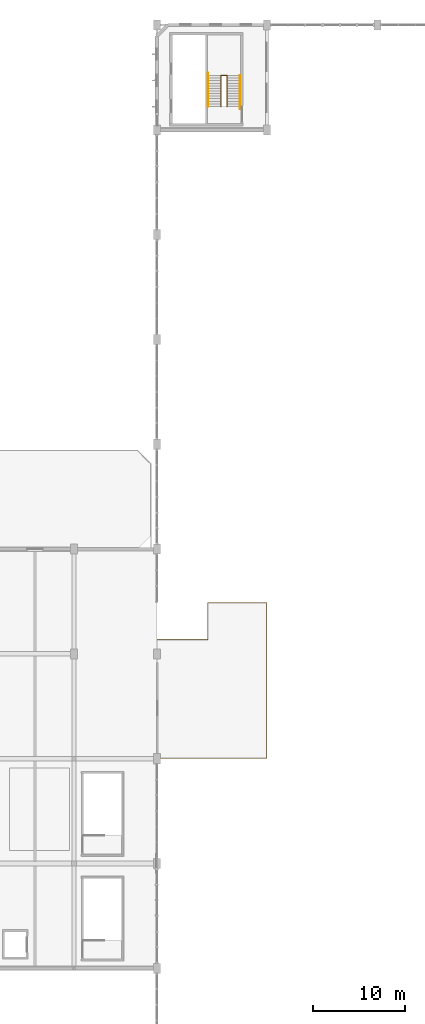
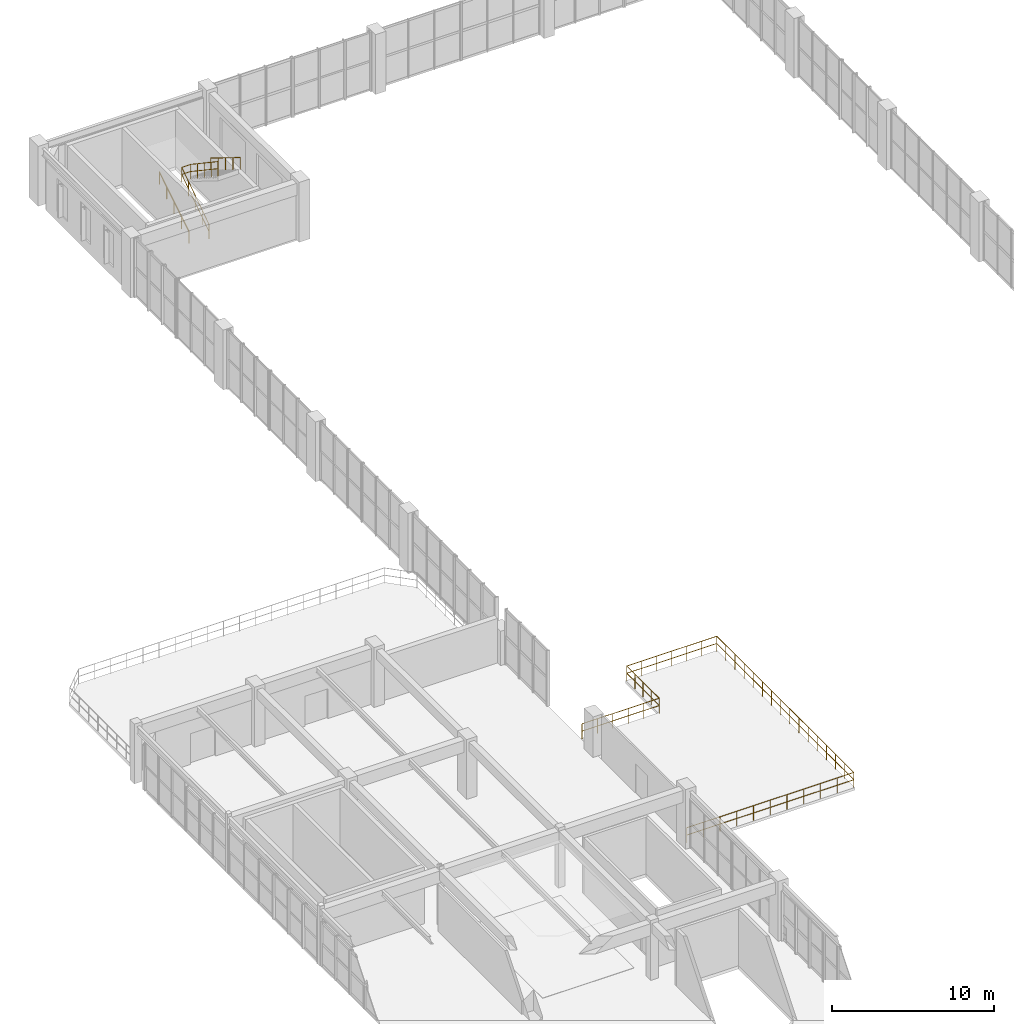
# One storey, part 80 of 80: 4 railings.
"""IFC4 building model written with IfcOpenShell, lengths in metres."""

from ifc_helpers import new_model, si_unit, direction, frame, origin, origin_2d, place, context, subcontext, project, spatial, circle, extrude, material, layer, layer_set, type_object, element, save


model = new_model("IFC4")

# Units and contexts
model_context = context("Model", 3, precision=1e-05, world=origin(), true_north=direction((0.0, 1.0)))
body_context = subcontext(model_context, "Body", "Model", "MODEL_VIEW")
ifc_project = project(units=[si_unit("LENGTHUNIT", "METRE"), si_unit("AREAUNIT", "SQUARE_METRE"), si_unit("VOLUMEUNIT", "CUBIC_METRE"), si_unit("PLANEANGLEUNIT", "RADIAN"), si_unit("MASSUNIT", "GRAM", prefix="KILO"), si_unit("POWERUNIT", "WATT"), si_unit("THERMODYNAMICTEMPERATUREUNIT", "KELVIN")], contexts=[model_context])

# Site, building, storey
site_placement = place(None, origin())
site = spatial("IfcSite", under=ifc_project, at=site_placement, CompositionType="ELEMENT")
building_placement = place(site_placement, origin())
building = spatial("IfcBuilding", under=site, at=building_placement, Name="Kelmbourne Parkland Aquatics Centre", CompositionType="ELEMENT")
storey_placement = place(building_placement, frame((0.0, 0.0, 10.199951171875)))
storey = spatial("IfcBuildingStorey", under=building, at=storey_placement, Name="L02", CompositionType="ELEMENT", Elevation=10.199951171875)

# Railings
ifc_material_1 = material(Name="Grade 316 stainless steel and laminated glass balustrade", Category="glass")
ifc_layer = layer(ifc_material_1, 0.06005859375)
ifc_layer_set = layer_set([ifc_layer], Name="Grade 316 stainless steel and laminated glass balustrade")
railing_type_1 = type_object("IfcRailingType", Name="RL-BL-114", PredefinedType="BALUSTRADE", material=ifc_layer_set)
railing_1_placement = place(storey_placement, frame((128.050048828125, 47.949951171875, 0.0)))
element("IfcRailing", 1, at=railing_1_placement, inside=storey, type_object=railing_type_1, Name="Safety balustrade BAL-L02-BRG", PredefinedType="BALUSTRADE", context=body_context, shape_type="SweptSolid", body=[
    extrude(circle(Radius=0.02392578125, at=origin_2d()), frame((0.0, 0.0, 1.11572265625), z_axis=(1.0, 0.0, 0.0), x_axis=(0.0, 1.0, 0.0)), (0.0, 0.0, 1.0), 5.5),
    extrude(circle(Radius=0.02392578125, at=origin_2d()), frame((0.0, 0.0, 0.56982421875), z_axis=(1.0, 0.0, 0.0), x_axis=(0.0, 1.0, 0.0)), (0.0, 0.0, 1.0), 5.5),
    extrude(circle(Radius=0.02392578125, at=origin_2d()), frame((5.5, 0.0, 1.11572265625), z_axis=(0.0, 1.0, 0.0), x_axis=(-1.0, 0.0, 0.0)), (0.0, 0.0, 1.0), 4.0),
    extrude(circle(Radius=0.02392578125, at=origin_2d()), frame((5.5, 0.0, 0.56982421875), z_axis=(0.0, 1.0, 0.0), x_axis=(-1.0, 0.0, 0.0)), (0.0, 0.0, 1.0), 4.0),
    extrude(circle(Radius=0.02392578125, at=origin_2d()), frame((5.5, 4.0, 1.11572265625), z_axis=(1.0, 0.0, 0.0), x_axis=(0.0, 1.0, 0.0)), (0.0, 0.0, 1.0), 6.39990234375),
    extrude(circle(Radius=0.02392578125, at=origin_2d()), frame((5.5, 4.0, 0.56982421875), z_axis=(1.0, 0.0, 0.0), x_axis=(0.0, 1.0, 0.0)), (0.0, 0.0, 1.0), 6.39990234375),
    extrude(circle(Radius=0.02392578125, at=origin_2d()), frame((11.89990234375, 4.0, 1.11572265625), z_axis=(0.0, -1.0, 0.0), x_axis=(1.0, 0.0, 0.0)), (0.0, 0.0, 1.0), 16.89990234375),
    extrude(circle(Radius=0.02392578125, at=origin_2d()), frame((11.89990234375, 4.0, 0.56982421875), z_axis=(0.0, -1.0, 0.0), x_axis=(1.0, 0.0, 0.0)), (0.0, 0.0, 1.0), 16.89990234375),
    extrude(circle(Radius=0.02392578125, at=origin_2d()), frame((11.89990234375, -12.89990234375, 1.11572265625), z_axis=(-1.0, 0.0, 0.0), x_axis=(0.0, -1.0, 0.0)), (0.0, 0.0, 1.0), 11.89990234375),
    extrude(circle(Radius=0.02392578125, at=origin_2d()), frame((11.89990234375, -12.89990234375, 0.56982421875), z_axis=(-1.0, 0.0, 0.0), x_axis=(0.0, -1.0, 0.0)), (0.0, 0.0, 1.0), 11.89990234375),
    extrude(circle(Radius=0.02099609375, at=origin_2d()), origin(), (0.0, 0.0, 1.0), 1.091796875),
    extrude(circle(Radius=0.02099609375, at=origin_2d()), frame((1.10009765625, 0.0, 0.0)), (0.0, 0.0, 1.0), 1.091796875),
    extrude(circle(Radius=0.02099609375, at=origin_2d()), frame((2.199951171875, 0.0, 0.0)), (0.0, 0.0, 1.0), 1.091796875),
    extrude(circle(Radius=0.02099609375, at=origin_2d()), frame((3.300048828125, 0.0, 0.0)), (0.0, 0.0, 1.0), 1.091796875),
    extrude(circle(Radius=0.02099609375, at=origin_2d()), frame((4.39990234375, 0.0, 0.0)), (0.0, 0.0, 1.0), 1.091796875),
    extrude(circle(Radius=0.02099609375, at=origin_2d()), frame((5.5, 0.0, 0.0)), (0.0, 0.0, 1.0), 1.091796875),
    extrude(circle(Radius=0.02099609375, at=origin_2d()), frame((5.5, 1.0, 0.0)), (0.0, 0.0, 1.0), 1.091796875),
    extrude(circle(Radius=0.02099609375, at=origin_2d()), frame((5.5, 2.0, 0.0)), (0.0, 0.0, 1.0), 1.091796875),
    extrude(circle(Radius=0.02099609375, at=origin_2d()), frame((5.5, 3.0, 0.0)), (0.0, 0.0, 1.0), 1.091796875),
    extrude(circle(Radius=0.02099609375, at=origin_2d()), frame((5.5, 4.0, 0.0)), (0.0, 0.0, 1.0), 1.091796875),
    extrude(circle(Radius=0.02099609375, at=origin_2d()), frame((6.566650390625, 4.0, 0.0)), (0.0, 0.0, 1.0), 1.091796875),
    extrude(circle(Radius=0.02099609375, at=origin_2d()), frame((7.63330078125, 4.0, 0.0)), (0.0, 0.0, 1.0), 1.091796875),
    extrude(circle(Radius=0.02099609375, at=origin_2d()), frame((8.699951171875, 4.0, 0.0)), (0.0, 0.0, 1.0), 1.091796875),
    extrude(circle(Radius=0.02099609375, at=origin_2d()), frame((9.7666015625, 4.0, 0.0)), (0.0, 0.0, 1.0), 1.091796875),
    extrude(circle(Radius=0.02099609375, at=origin_2d()), frame((10.833251953125, 4.0, 0.0)), (0.0, 0.0, 1.0), 1.091796875),
    extrude(circle(Radius=0.02099609375, at=origin_2d()), frame((11.89990234375, 4.0, 0.0)), (0.0, 0.0, 1.0), 1.091796875),
    extrude(circle(Radius=0.02099609375, at=origin_2d()), frame((11.89990234375, 2.873291015625, 0.0)), (0.0, 0.0, 1.0), 1.091796875),
    extrude(circle(Radius=0.02099609375, at=origin_2d()), frame((11.89990234375, 1.74658203125, 0.0)), (0.0, 0.0, 1.0), 1.091796875),
    extrude(circle(Radius=0.02099609375, at=origin_2d()), frame((11.89990234375, 0.6201171875, 0.0)), (0.0, 0.0, 1.0), 1.091796875),
    extrude(circle(Radius=0.02099609375, at=origin_2d()), frame((11.89990234375, -0.506591796875, 0.0)), (0.0, 0.0, 1.0), 1.091796875),
    extrude(circle(Radius=0.02099609375, at=origin_2d()), frame((11.89990234375, -1.63330078125, 0.0)), (0.0, 0.0, 1.0), 1.091796875),
    extrude(circle(Radius=0.02099609375, at=origin_2d()), frame((11.89990234375, -2.760009765625, 0.0)), (0.0, 0.0, 1.0), 1.091796875),
    extrude(circle(Radius=0.02099609375, at=origin_2d()), frame((11.89990234375, -3.88671875, 0.0)), (0.0, 0.0, 1.0), 1.091796875),
    extrude(circle(Radius=0.02099609375, at=origin_2d()), frame((11.89990234375, -5.01318359375, 0.0)), (0.0, 0.0, 1.0), 1.091796875),
    extrude(circle(Radius=0.02099609375, at=origin_2d()), frame((11.89990234375, -6.139892578125, 0.0)), (0.0, 0.0, 1.0), 1.091796875),
    extrude(circle(Radius=0.02099609375, at=origin_2d()), frame((11.89990234375, -7.2666015625, 0.0)), (0.0, 0.0, 1.0), 1.091796875),
    extrude(circle(Radius=0.02099609375, at=origin_2d()), frame((11.89990234375, -8.393310546875, 0.0)), (0.0, 0.0, 1.0), 1.091796875),
    extrude(circle(Radius=0.02099609375, at=origin_2d()), frame((11.89990234375, -9.52001953125, 0.0)), (0.0, 0.0, 1.0), 1.091796875),
    extrude(circle(Radius=0.02099609375, at=origin_2d()), frame((11.89990234375, -10.646484375, 0.0)), (0.0, 0.0, 1.0), 1.091796875),
    extrude(circle(Radius=0.02099609375, at=origin_2d()), frame((11.89990234375, -11.773193359375, 0.0)), (0.0, 0.0, 1.0), 1.091796875),
    extrude(circle(Radius=0.02099609375, at=origin_2d()), frame((11.89990234375, -12.89990234375, 0.0)), (0.0, 0.0, 1.0), 1.091796875),
    extrude(circle(Radius=0.02099609375, at=origin_2d()), frame((10.7099609375, -12.89990234375, 0.0)), (0.0, 0.0, 1.0), 1.091796875),
    extrude(circle(Radius=0.02099609375, at=origin_2d()), frame((9.52001953125, -12.89990234375, 0.0)), (0.0, 0.0, 1.0), 1.091796875),
    extrude(circle(Radius=0.02099609375, at=origin_2d()), frame((8.329833984375, -12.89990234375, 0.0)), (0.0, 0.0, 1.0), 1.091796875),
    extrude(circle(Radius=0.02099609375, at=origin_2d()), frame((7.139892578125, -12.89990234375, 0.0)), (0.0, 0.0, 1.0), 1.091796875),
    extrude(circle(Radius=0.02099609375, at=origin_2d()), frame((5.949951171875, -12.89990234375, 0.0)), (0.0, 0.0, 1.0), 1.091796875),
    extrude(circle(Radius=0.02099609375, at=origin_2d()), frame((4.760009765625, -12.89990234375, 0.0)), (0.0, 0.0, 1.0), 1.091796875),
    extrude(circle(Radius=0.02099609375, at=origin_2d()), frame((3.570068359375, -12.89990234375, 0.0)), (0.0, 0.0, 1.0), 1.091796875),
    extrude(circle(Radius=0.02099609375, at=origin_2d()), frame((2.3798828125, -12.89990234375, 0.0)), (0.0, 0.0, 1.0), 1.091796875),
    extrude(circle(Radius=0.02099609375, at=origin_2d()), frame((1.18994140625, -12.89990234375, 0.0)), (0.0, 0.0, 1.0), 1.091796875),
    extrude(circle(Radius=0.02099609375, at=origin_2d()), frame((0.0, -12.89990234375, 0.0)), (0.0, 0.0, 1.0), 1.091796875),
])
ifc_material_2 = material(Name="Grade 316 marine stainless steel", Category="steel")
railing_type_2 = type_object("IfcRailingType", Name="RL-GD-112", PredefinedType="GUARDRAIL", material=ifc_material_2)
railing_2_placement = place(storey_placement, frame((134.9951171875, 105.949951171875, 0.0)))
element("IfcRailing", 2, at=railing_2_placement, inside=storey, type_object=railing_type_2, Name="North Diving Control Fire-Fighting Core Stair ST05 well guardrail", PredefinedType="GUARDRAIL", context=body_context, shape_type="SweptSolid", body=[
    extrude(circle(Radius=0.02392578125, at=origin_2d()), frame((0.0, 0.0, 1.09619140625), z_axis=(0.0, 0.830915400975, 0.556398774641), x_axis=(-1.0, 0.0, 0.0)), (0.0, 0.0, 1.0), 4.0439453125),
    extrude(circle(Radius=0.02392578125, at=origin_2d()), frame((0.0, 0.0, 0.56005859375), z_axis=(0.0, 0.830915400975, 0.556398774641), x_axis=(-1.0, 0.0, 0.0)), (0.0, 0.0, 1.0), 4.0439453125),
    extrude(circle(Radius=0.02392578125, at=origin_2d()), frame((0.0, 3.360107421875, 3.34619140625), z_axis=(1.0, 0.0, 0.0), x_axis=(0.0, 1.0, 0.0)), (0.0, 0.0, 1.0), 0.634765625),
    extrude(circle(Radius=0.02392578125, at=origin_2d()), frame((0.0, 3.360107421875, 2.81005859375), z_axis=(1.0, 0.0, 0.0), x_axis=(0.0, 1.0, 0.0)), (0.0, 0.0, 1.0), 0.634765625),
    extrude(circle(Radius=0.02392578125, at=origin_2d()), frame((0.634765625, 3.360107421875, 3.34619140625), z_axis=(0.0, -0.830915400975, 0.556398774641), x_axis=(1.0, 0.0, 0.0)), (0.0, 0.0, 1.0), 4.0439453125),
    extrude(circle(Radius=0.02392578125, at=origin_2d()), frame((0.634765625, 3.360107421875, 2.81005859375), z_axis=(0.0, -0.830915400975, 0.556398774641), x_axis=(1.0, 0.0, 0.0)), (0.0, 0.0, 1.0), 4.0439453125),
    extrude(circle(Radius=0.02099609375, at=origin_2d()), origin(), (0.0, 0.0, 1.0), 1.072021484375),
    extrude(circle(Radius=0.02099609375, at=origin_2d()), frame((0.0, 0.840087890625, 0.5625)), (0.0, 0.0, 1.0), 1.072021484375),
    extrude(circle(Radius=0.02099609375, at=origin_2d()), frame((0.0, 1.68017578125, 1.125)), (0.0, 0.0, 1.0), 1.072021484375),
    extrude(circle(Radius=0.02099609375, at=origin_2d()), frame((0.0, 2.52001953125, 1.6875)), (0.0, 0.0, 1.0), 1.072021484375),
    extrude(circle(Radius=0.02099609375, at=origin_2d()), frame((0.0, 3.360107421875, 2.25)), (0.0, 0.0, 1.0), 1.072021484375),
    extrude(circle(Radius=0.02099609375, at=origin_2d()), frame((0.634765625, 3.360107421875, 2.25)), (0.0, 0.0, 1.0), 1.072021484375),
    extrude(circle(Radius=0.02099609375, at=origin_2d()), frame((0.634765625, 2.52001953125, 2.8125)), (0.0, 0.0, 1.0), 1.072021484375),
    extrude(circle(Radius=0.02099609375, at=origin_2d()), frame((0.634765625, 1.68017578125, 3.375)), (0.0, 0.0, 1.0), 1.072021484375),
    extrude(circle(Radius=0.02099609375, at=origin_2d()), frame((0.634765625, 0.840087890625, 3.9375)), (0.0, 0.0, 1.0), 1.072021484375),
    extrude(circle(Radius=0.02099609375, at=origin_2d()), frame((0.634765625, 0.0, 4.5)), (0.0, 0.0, 1.0), 1.072021484375),
])
railing_type_3 = type_object("IfcRailingType", Name="RL-HR-92", PredefinedType="HANDRAIL", material=ifc_material_2)
railing_3_placement = place(storey_placement, frame((133.56494140625, 105.949951171875, 0.173095703125)))
element("IfcRailing", 3, at=railing_3_placement, inside=storey, type_object=railing_type_3, Name="North Diving Control Fire-Fighting Core Stair ST05 F1 handrail", PredefinedType="HANDRAIL", context=body_context, shape_type="SweptSolid", body=[
    extrude(circle(Radius=0.02392578125, at=origin_2d()), frame((0.0, 0.0, 0.89599609375), z_axis=(0.0, 0.850622404505, 0.525777067734), x_axis=(-1.0, 0.0, 0.0)), (0.0, 0.0, 1.0), 4.279296875),
    extrude(circle(Radius=0.02099609375, at=origin_2d()), origin(), (0.0, 0.0, 1.0), 0.871826171875),
    extrude(circle(Radius=0.02099609375, at=origin_2d()), frame((0.0, 0.91015625, 0.5625)), (0.0, 0.0, 1.0), 0.871826171875),
    extrude(circle(Radius=0.02099609375, at=origin_2d()), frame((0.0, 1.820068359375, 1.125)), (0.0, 0.0, 1.0), 0.871826171875),
    extrude(circle(Radius=0.02099609375, at=origin_2d()), frame((0.0, 2.72998046875, 1.6875)), (0.0, 0.0, 1.0), 0.871826171875),
    extrude(circle(Radius=0.02099609375, at=origin_2d()), frame((0.0, 3.64013671875, 2.25)), (0.0, 0.0, 1.0), 0.871826171875),
])
railing_4_placement = place(storey_placement, frame((137.06005859375, 109.31005859375, 2.423095703125)))
element("IfcRailing", 4, at=railing_4_placement, inside=storey, type_object=railing_type_3, Name="North Diving Control Fire-Fighting Core Stair ST05 F2 handrail", PredefinedType="HANDRAIL", context=body_context, shape_type="SweptSolid", body=[
    extrude(circle(Radius=0.02392578125, at=origin_2d()), frame((0.0, 0.0, 0.89599609375), z_axis=(0.0, -0.850622404505, 0.525777067734), x_axis=(1.0, 0.0, 0.0)), (0.0, 0.0, 1.0), 4.279296875),
    extrude(circle(Radius=0.02099609375, at=origin_2d()), origin(), (0.0, 0.0, 1.0), 0.871826171875),
    extrude(circle(Radius=0.02099609375, at=origin_2d()), frame((0.0, -0.91015625, 0.5625)), (0.0, 0.0, 1.0), 0.871826171875),
    extrude(circle(Radius=0.02099609375, at=origin_2d()), frame((0.0, -1.820068359375, 1.125)), (0.0, 0.0, 1.0), 0.871826171875),
    extrude(circle(Radius=0.02099609375, at=origin_2d()), frame((0.0, -2.72998046875, 1.6875)), (0.0, 0.0, 1.0), 0.871826171875),
    extrude(circle(Radius=0.02099609375, at=origin_2d()), frame((0.0, -3.64013671875, 2.25)), (0.0, 0.0, 1.0), 0.871826171875),
])

save(model, "model.ifc")
